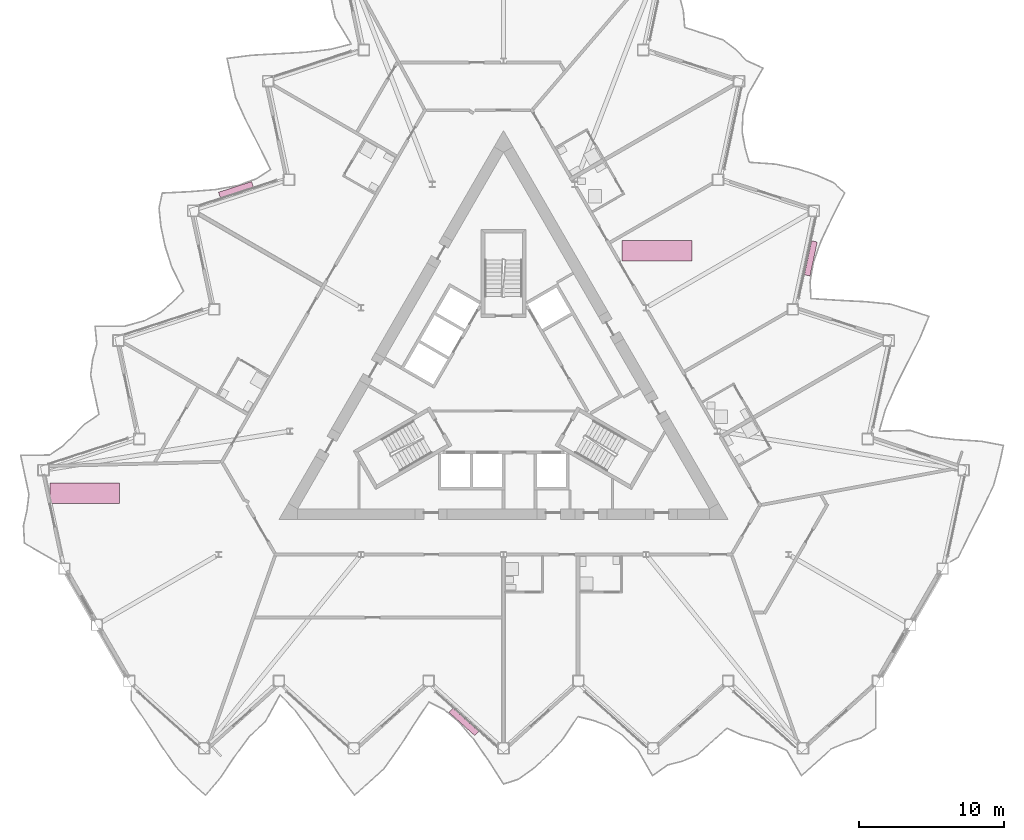
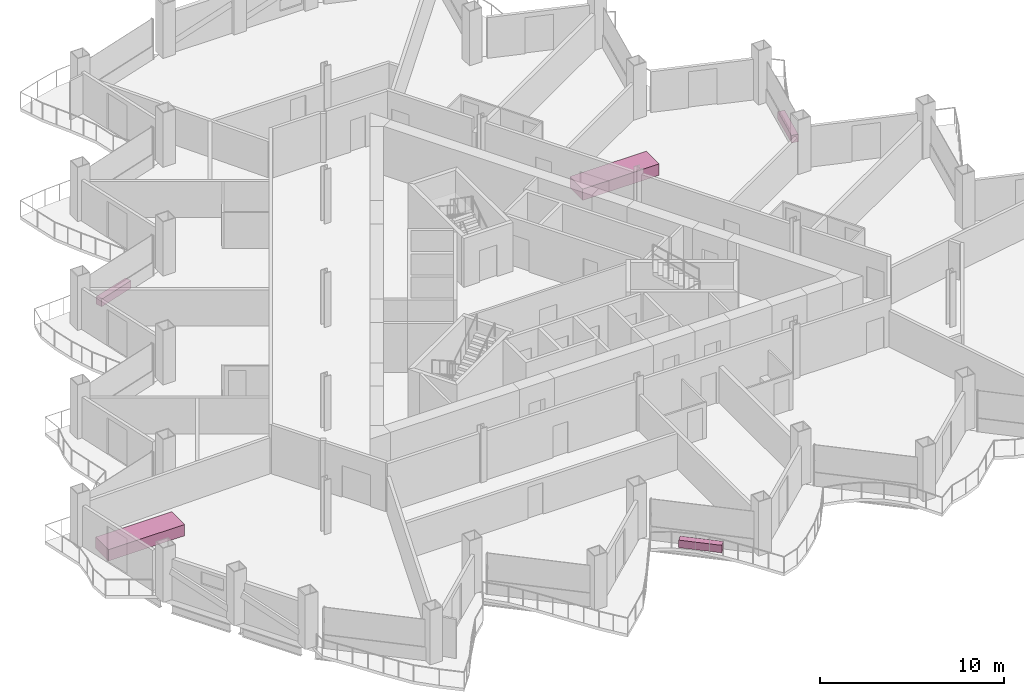
# One storey, part 22 of 22: 5 furniture elements.
"""IFC4 building model written with IfcOpenShell, lengths in metres."""

from ifc_helpers import new_model, si_unit, direction, frame, origin, origin_2d, place, context, subcontext, project, spatial, rectangle, extrude, material, type_object, element, save


model = new_model("IFC4")

# Units and contexts
model_context = context("Model", 3, precision=1e-05, world=origin(), true_north=direction((0.0, 1.0)))
body_context = subcontext(model_context, "Body", "Model", "MODEL_VIEW")
ifc_project = project(units=[si_unit("LENGTHUNIT", "METRE"), si_unit("AREAUNIT", "SQUARE_METRE"), si_unit("VOLUMEUNIT", "CUBIC_METRE"), si_unit("PLANEANGLEUNIT", "RADIAN"), si_unit("MASSUNIT", "GRAM", prefix="KILO")], contexts=[model_context])

# Site, building, storey
site_placement = place(None, origin())
site = spatial("IfcSite", under=ifc_project, at=site_placement, CompositionType="ELEMENT")
building_placement = place(site_placement, origin())
building = spatial("IfcBuilding", under=site, at=building_placement, Name="Cormorant Prow Tower", CompositionType="ELEMENT")
storey_placement = place(building_placement, frame((0.0, 0.0, 190.800048828125)))
storey = spatial("IfcBuildingStorey", under=building, at=storey_placement, Name="L41", CompositionType="ELEMENT", Elevation=190.800048828125)

# Furniture
ifc_material_1 = material(Name="Terracotta", Category="masonry")
furniture_type_1 = type_object("IfcFurnitureType", Name="Balcony planter 2400x400x500", AssemblyPlace="NOTDEFINED", PredefinedType="USERDEFINED", material=ifc_material_1)
for number, where, z_axis, x_axis, name in (
    (1, (-2.736572265625, -22.898193359375, 0.0), (0.0, 0.0, 1.0), (0.743144831959, -0.66913059916, 0.0), "Balcony planter S04"),
    (2, (21.19873046875, 9.0791015625, 0.0), (0.0, 0.0, 1.0), (0.207911629905, 0.978147613681, 0.0), "Balcony planter ENE04"),
    (3, (-18.462158203125, 13.819091796875, 0.0), (0.0, 0.0, 1.0), (-0.951056519963, -0.309016983088, 0.0), "Balcony planter WNW04"),
):
    element("IfcFurniture", number, at=place(storey_placement, frame(where, z_axis=z_axis, x_axis=x_axis)), inside=storey, type_object=furniture_type_1, Name=name, ObjectType="PLANTER", PredefinedType="USERDEFINED", context=body_context, shape_type="SweptSolid", body=[
        extrude(rectangle(XDim=2.39990234375, YDim=0.39990234375, at=origin_2d()), origin(), (0.0, 0.0, 1.0), 0.5),
    ])
ifc_material_2 = material(Name="Timber joinery", Category="wood")
furniture_type_2 = type_object("IfcFurnitureType", Name="Conference table 4800x1400", AssemblyPlace="NOTDEFINED", PredefinedType="TABLE", material=ifc_material_2)
for number, where, z_axis, x_axis, name in (
    (4, (10.589111328125, 9.60400390625, 0.0), (0.0, 0.0, 1.0), (1.0, 0.0, 0.0), "Conference table"),
    (5, (-28.888916015625, -7.12158203125, 0.0), (0.0, 0.0, 1.0), (1.0, 0.0, 0.0), "Conference table"),
):
    element("IfcFurniture", number, at=place(storey_placement, frame(where, z_axis=z_axis, x_axis=x_axis)), inside=storey, type_object=furniture_type_2, Name=name, PredefinedType="TABLE", context=body_context, shape_type="SweptSolid", body=[
        extrude(rectangle(XDim=4.800048828125, YDim=1.39990234375, at=origin_2d()), origin(), (0.0, 0.0, 1.0), 0.75),
    ])

save(model, "model.ifc")
